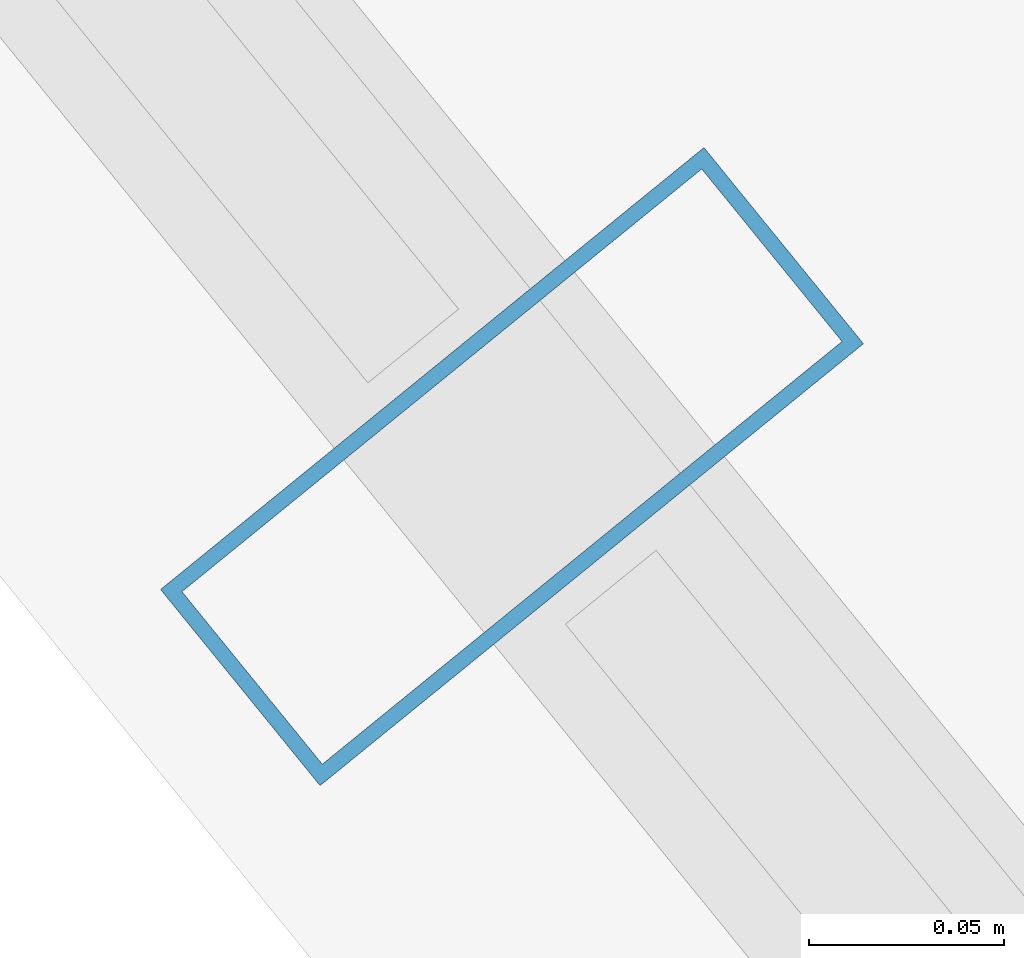
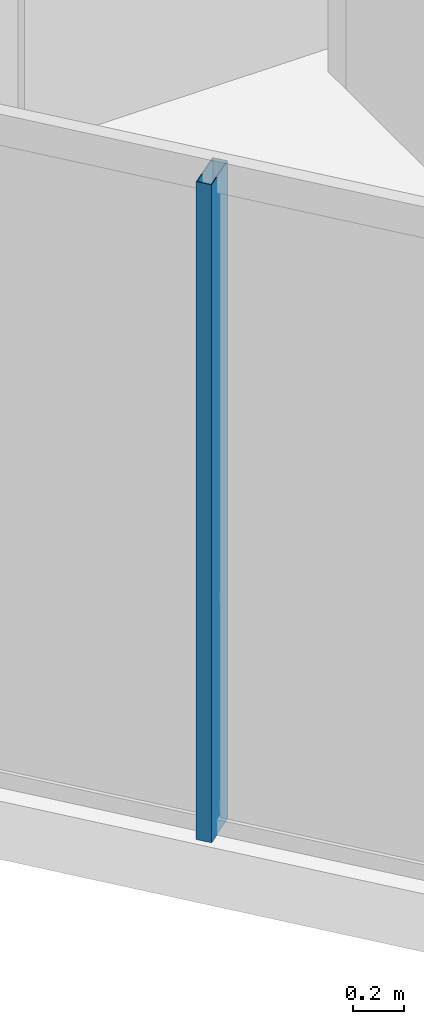
# One storey, part 2 of 27: 1 member, 1 element without a shape of its own.
"""IFC4 building model written with IfcOpenShell, lengths in metres."""

from ifc_helpers import new_model, si_unit, direction, frame, origin, origin_2d, place, context, subcontext, project, spatial, hollow_rectangle, extrude, material, layer, layer_set, material_profile, profile_set, type_object, element, aggregate, save


model = new_model("IFC4")

# Units and contexts
model_context = context("Model", 3, precision=1e-05, world=origin(), true_north=direction((0.0, 1.0)))
body_context = subcontext(model_context, "Body", "Model", "MODEL_VIEW")
ifc_project = project(units=[si_unit("LENGTHUNIT", "METRE"), si_unit("AREAUNIT", "SQUARE_METRE"), si_unit("VOLUMEUNIT", "CUBIC_METRE"), si_unit("PLANEANGLEUNIT", "RADIAN"), si_unit("MASSUNIT", "GRAM", prefix="KILO")], contexts=[model_context])

# Site, building, storey
site_placement = place(None, origin())
site = spatial("IfcSite", under=ifc_project, at=site_placement, CompositionType="ELEMENT")
building_placement = place(site_placement, origin())
building = spatial("IfcBuilding", under=site, at=building_placement, Name="Qarnah Convention Tower", CompositionType="ELEMENT")
storey_placement = place(building_placement, frame((0.0, 0.0, 100.5)))
storey = spatial("IfcBuildingStorey", under=building, at=storey_placement, Name="L26", CompositionType="ELEMENT", Elevation=100.5)

# Curtain wall, member
ifc_material_1 = material(Name="Tempered Low-E dark glass", Category="glass")
ifc_layer = layer(ifc_material_1, 0.169921875)
ifc_layer_set = layer_set([ifc_layer], Name="Tempered Low-E dark glass")
curtain_wall_type = type_object("IfcCurtainWallType", Name="CWS-02", PredefinedType="NOTDEFINED", material=ifc_layer_set)
curtain_wall_placement = place(storey_placement, origin())
curtain_wall = element("IfcCurtainWall", 1, at=curtain_wall_placement, inside=storey, type_object=curtain_wall_type, Name="L26 unitised curtain wall CW-L26-F2", PredefinedType="NOTDEFINED")
ifc_material_2 = material(Name="Black anodised aluminium", Category="aluminium")
ifc_material_profile = material_profile(ifc_material_2, hollow_rectangle(XDim=0.06494140625, YDim=0.179931640625, WallThickness=0.00390625, at=origin_2d()), Name="MUL-65X180")
ifc_profile_set = profile_set([ifc_material_profile], Name="Black anodised aluminium")
member_type = type_object("IfcMemberType", Name="MUL-T2", PredefinedType="MULLION", material=ifc_profile_set)
member_placement = place(storey_placement, frame((26.28759765625, 12.30419921875, 0.0), z_axis=(0.0, 0.0, 1.0), x_axis=(-0.630942367883, 0.775829703227, 0.0)))
member = element("IfcMember", 2, at=member_placement, type_object=member_type, Name="CW-L26-F2 mullion 3", PredefinedType="MULLION", context=body_context, shape_type="SweptSolid", body=[
    extrude(hollow_rectangle(XDim=0.06494140625, YDim=0.179931640625, WallThickness=0.00390625, at=origin_2d()), origin(), (0.0, 0.0, 1.0), 3.169921875),
])
aggregate(curtain_wall, [member])

save(model, "model.ifc")
